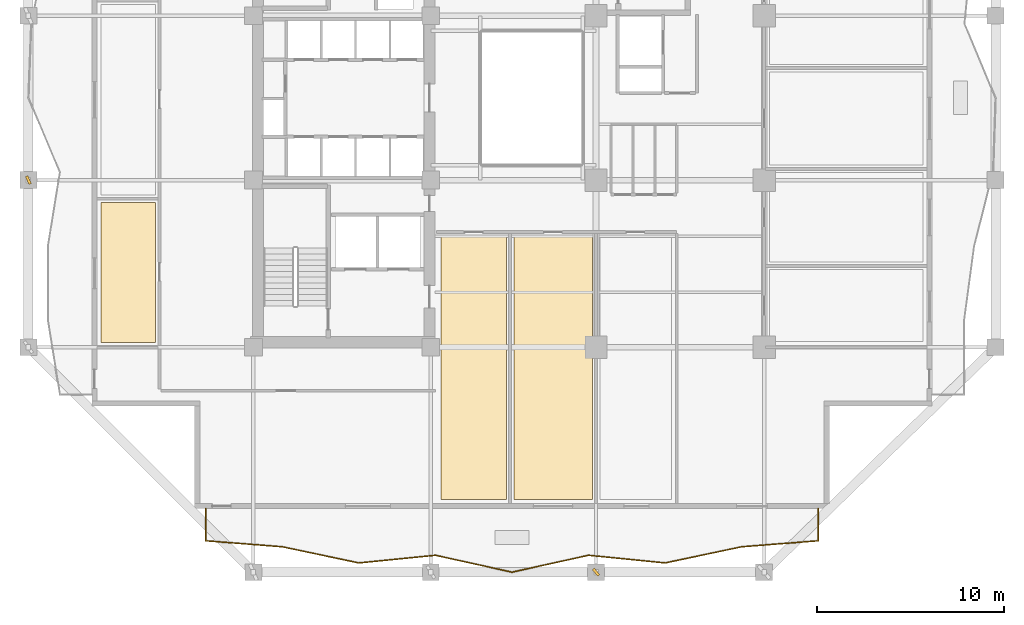
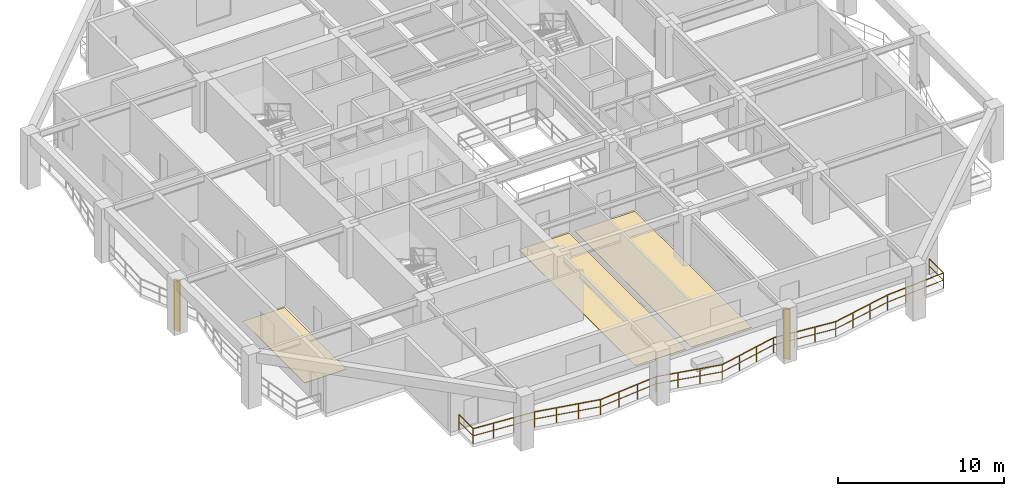
# One storey, part 8 of 13: 3 coverings, 2 shading devices, 1 railing.
"""IFC4 building model written with IfcOpenShell, lengths in metres."""

from ifc_helpers import new_model, si_unit, direction, frame, origin, origin_2d, place, context, subcontext, project, spatial, polyline, rectangle, outline, extrude, material, layer, layer_set, type_object, element, save


model = new_model("IFC4")

# Units and contexts
model_context = context("Model", 3, precision=1e-05, world=origin(), true_north=direction((0.0, 1.0)))
body_context = subcontext(model_context, "Body", "Model", "MODEL_VIEW")
ifc_project = project(units=[si_unit("LENGTHUNIT", "METRE"), si_unit("AREAUNIT", "SQUARE_METRE"), si_unit("VOLUMEUNIT", "CUBIC_METRE"), si_unit("PLANEANGLEUNIT", "RADIAN"), si_unit("MASSUNIT", "GRAM", prefix="KILO")], contexts=[model_context])

# Site, building, storey
site_placement = place(None, origin())
site = spatial("IfcSite", under=ifc_project, at=site_placement, CompositionType="ELEMENT")
building_placement = place(site_placement, origin())
building = spatial("IfcBuilding", under=site, at=building_placement, Name="Kundavana Baori Tower", CompositionType="ELEMENT")
storey_placement = place(building_placement, frame((0.0, 0.0, 54.0)))
storey = spatial("IfcBuildingStorey", under=building, at=storey_placement, Name="L12", CompositionType="ELEMENT", Elevation=54.0)

# Coverings
ifc_material_1 = material(Name="Honed Kota Stone and Terrazzo Flooring", Category="masonry")
ifc_layer = layer(ifc_material_1, 0.030029296875, Name="COV-INT-FLR")
ifc_layer_set = layer_set([ifc_layer], Name="Honed Kota Stone and Terrazzo Flooring")
covering_type = type_object("IfcCoveringType", Name="COV-INT-FLR", PredefinedType="FLOORING", material=ifc_layer_set)
covering_1_placement = place(storey_placement, origin())
element("IfcCovering", 1, at=covering_1_placement, inside=storey, type_object=covering_type, Name="L12 Room Finished Stone Flooring 1", PredefinedType="FLOORING", context=body_context, shape_type="SweptSolid", body=[
    extrude(outline(polyline([(7.280029296875, 15.5), (10.199951171875, 15.5), (10.199951171875, 23.0), (7.280029296875, 23.0), (7.280029296875, 15.5)])), origin(), (0.0, 0.0, 1.0), 0.030029296875),
])
covering_2_placement = place(storey_placement, origin())
element("IfcCovering", 2, at=covering_2_placement, inside=storey, type_object=covering_type, Name="L12 Room Finished Stone Flooring 4", PredefinedType="FLOORING", context=body_context, shape_type="SweptSolid", body=[
    extrude(outline(polyline([(25.5, 7.080078125), (29.0, 7.080078125), (29.0, 21.199951171875), (25.5, 21.199951171875), (25.5, 7.080078125)])), origin(), (0.0, 0.0, 1.0), 0.030029296875),
])
covering_3_placement = place(storey_placement, origin())
element("IfcCovering", 3, at=covering_3_placement, inside=storey, type_object=covering_type, Name="L12 Room Finished Stone Flooring 5", PredefinedType="FLOORING", context=body_context, shape_type="SweptSolid", body=[
    extrude(outline(polyline([(29.39990234375, 7.080078125), (33.60009765625, 7.080078125), (33.60009765625, 21.199951171875), (29.39990234375, 21.199951171875), (29.39990234375, 7.080078125)])), origin(), (0.0, 0.0, 1.0), 0.030029296875),
])

# Railing
ifc_material_2 = material(Name="Architectural Patinated Bronze Metalwork")
railing_type = type_object("IfcRailingType", Name="RL-BAL-1150", PredefinedType="BALUSTRADE", material=ifc_material_2)
railing_placement = place(storey_placement, frame((45.699951171875, 6.60009765625, 0.0)))
element("IfcRailing", 4, at=railing_placement, inside=storey, type_object=railing_type, Name="L12 Loggia Balcony Balustrade S", PredefinedType="BALUSTRADE", context=body_context, shape_type="SweptSolid", body=[
    extrude(rectangle(XDim=0.048095703125, YDim=0.048095703125, at=origin_2d()), frame((0.0, 0.0, 1.1259765625), z_axis=(0.0, -1.0, 0.0), x_axis=(1.0, 0.0, 0.0)), (0.0, 0.0, 1.0), 1.72021484375),
    extrude(rectangle(XDim=0.03125, YDim=0.03125, at=origin_2d()), frame((0.0, 0.0, 0.597900390625), z_axis=(0.0, -1.0, 0.0), x_axis=(1.0, 0.0, 0.0)), (0.0, 0.0, 1.0), 1.72021484375),
    extrude(rectangle(XDim=0.048095703125, YDim=0.048095703125, at=origin_2d()), frame((0.0, -1.72021484375, 1.1259765625), z_axis=(-0.996952698098, -0.078008446692, 0.0), x_axis=(0.078008446692, -0.996952698098, 0.0)), (0.0, 0.0, 1.0), 4.1123046875),
    extrude(rectangle(XDim=0.03125, YDim=0.03125, at=origin_2d()), frame((0.0, -1.72021484375, 0.597900390625), z_axis=(-0.996952698098, -0.078008446692, 0.0), x_axis=(0.078008446692, -0.996952698098, 0.0)), (0.0, 0.0, 1.0), 4.1123046875),
    extrude(rectangle(XDim=0.048095703125, YDim=0.048095703125, at=origin_2d()), frame((-4.099853515625, -2.041015625, 1.1259765625), z_axis=(-0.978356507752, -0.206926421075, 0.0), x_axis=(0.206926421075, -0.978356507752, 0.0)), (0.0, 0.0, 1.0), 4.19091796875),
    extrude(rectangle(XDim=0.03125, YDim=0.03125, at=origin_2d()), frame((-4.099853515625, -2.041015625, 0.597900390625), z_axis=(-0.978356507752, -0.206926421075, 0.0), x_axis=(0.206926421075, -0.978356507752, 0.0)), (0.0, 0.0, 1.0), 4.19091796875),
    extrude(rectangle(XDim=0.048095703125, YDim=0.048095703125, at=origin_2d()), frame((-8.199951171875, -2.908203125, 1.1259765625), z_axis=(-0.994986614767, 0.100008181834, 0.0), x_axis=(-0.100008181834, -0.994986614767, 0.0)), (0.0, 0.0, 1.0), 4.120849609375),
    extrude(rectangle(XDim=0.03125, YDim=0.03125, at=origin_2d()), frame((-8.199951171875, -2.908203125, 0.597900390625), z_axis=(-0.994986614767, 0.100008181834, 0.0), x_axis=(-0.100008181834, -0.994986614767, 0.0)), (0.0, 0.0, 1.0), 4.120849609375),
    extrude(rectangle(XDim=0.048095703125, YDim=0.048095703125, at=origin_2d()), frame((-12.300048828125, -2.49609375, 1.1259765625), z_axis=(-0.976540140403, -0.215335445716, 0.0), x_axis=(0.215335445716, -0.976540140403, 0.0)), (0.0, 0.0, 1.0), 4.1982421875),
    extrude(rectangle(XDim=0.03125, YDim=0.03125, at=origin_2d()), frame((-12.300048828125, -2.49609375, 0.597900390625), z_axis=(-0.976540140403, -0.215335445716, 0.0), x_axis=(0.215335445716, -0.976540140403, 0.0)), (0.0, 0.0, 1.0), 4.1982421875),
    extrude(rectangle(XDim=0.048095703125, YDim=0.048095703125, at=origin_2d()), frame((-16.39990234375, -3.400146484375, 1.1259765625), z_axis=(-0.976542836626, 0.215323218056, 0.0), x_axis=(-0.215323218056, -0.976542836626, 0.0)), (0.0, 0.0, 1.0), 4.198486328125),
    extrude(rectangle(XDim=0.03125, YDim=0.03125, at=origin_2d()), frame((-16.39990234375, -3.400146484375, 0.597900390625), z_axis=(-0.976542836626, 0.215323218056, 0.0), x_axis=(-0.215323218056, -0.976542836626, 0.0)), (0.0, 0.0, 1.0), 4.198486328125),
    extrude(rectangle(XDim=0.048095703125, YDim=0.048095703125, at=origin_2d()), frame((-20.5, -2.49609375, 1.1259765625), z_axis=(-0.994986022152, -0.100014077615, 0.0), x_axis=(0.100014077615, -0.994986022152, 0.0)), (0.0, 0.0, 1.0), 4.12060546875),
    extrude(rectangle(XDim=0.03125, YDim=0.03125, at=origin_2d()), frame((-20.5, -2.49609375, 0.597900390625), z_axis=(-0.994986022152, -0.100014077615, 0.0), x_axis=(0.100014077615, -0.994986022152, 0.0)), (0.0, 0.0, 1.0), 4.12060546875),
    extrude(rectangle(XDim=0.048095703125, YDim=0.048095703125, at=origin_2d()), frame((-24.599853515625, -2.908203125, 1.1259765625), z_axis=(-0.978356507752, 0.206926421075, 0.0), x_axis=(-0.206926421075, -0.978356507752, 0.0)), (0.0, 0.0, 1.0), 4.19091796875),
    extrude(rectangle(XDim=0.03125, YDim=0.03125, at=origin_2d()), frame((-24.599853515625, -2.908203125, 0.597900390625), z_axis=(-0.978356507752, 0.206926421075, 0.0), x_axis=(-0.206926421075, -0.978356507752, 0.0)), (0.0, 0.0, 1.0), 4.19091796875),
    extrude(rectangle(XDim=0.048095703125, YDim=0.048095703125, at=origin_2d()), frame((-28.699951171875, -2.041015625, 1.1259765625), z_axis=(-0.996953059334, 0.078003829937, 0.0), x_axis=(-0.078003829937, -0.996953059334, 0.0)), (0.0, 0.0, 1.0), 4.112548828125),
    extrude(rectangle(XDim=0.03125, YDim=0.03125, at=origin_2d()), frame((-28.699951171875, -2.041015625, 0.597900390625), z_axis=(-0.996953059334, 0.078003829937, 0.0), x_axis=(-0.078003829937, -0.996953059334, 0.0)), (0.0, 0.0, 1.0), 4.112548828125),
    extrude(rectangle(XDim=0.048095703125, YDim=0.048095703125, at=origin_2d()), frame((-32.800048828125, -1.72021484375, 1.1259765625), z_axis=(0.0, 1.0, 0.0), x_axis=(-1.0, 0.0, 0.0)), (0.0, 0.0, 1.0), 1.72021484375),
    extrude(rectangle(XDim=0.03125, YDim=0.03125, at=origin_2d()), frame((-32.800048828125, -1.72021484375, 0.597900390625), z_axis=(0.0, 1.0, 0.0), x_axis=(-1.0, 0.0, 0.0)), (0.0, 0.0, 1.0), 1.72021484375),
    extrude(rectangle(XDim=0.0419921875, YDim=0.0419921875, at=origin_2d()), origin(), (0.0, 0.0, 1.0), 1.101806640625),
    extrude(rectangle(XDim=0.0419921875, YDim=0.0419921875, at=origin_2d()), frame((0.0, -1.72021484375, 0.0)), (0.0, 0.0, 1.0), 1.101806640625),
    extrude(rectangle(XDim=0.0419921875, YDim=0.0419921875, at=origin_2d()), frame((-1.36669921875, -1.8271484375, 0.0)), (0.0, 0.0, 1.0), 1.101806640625),
    extrude(rectangle(XDim=0.0419921875, YDim=0.0419921875, at=origin_2d()), frame((-2.733154296875, -1.93408203125, 0.0)), (0.0, 0.0, 1.0), 1.101806640625),
    extrude(rectangle(XDim=0.0419921875, YDim=0.0419921875, at=origin_2d()), frame((-4.099853515625, -2.041015625, 0.0)), (0.0, 0.0, 1.0), 1.101806640625),
    extrude(rectangle(XDim=0.0419921875, YDim=0.0419921875, at=origin_2d()), frame((-5.466552734375, -2.330078125, 0.0)), (0.0, 0.0, 1.0), 1.101806640625),
    extrude(rectangle(XDim=0.0419921875, YDim=0.0419921875, at=origin_2d()), frame((-6.833251953125, -2.619140625, 0.0)), (0.0, 0.0, 1.0), 1.101806640625),
    extrude(rectangle(XDim=0.0419921875, YDim=0.0419921875, at=origin_2d()), frame((-8.199951171875, -2.908203125, 0.0)), (0.0, 0.0, 1.0), 1.101806640625),
    extrude(rectangle(XDim=0.0419921875, YDim=0.0419921875, at=origin_2d()), frame((-9.566650390625, -2.770751953125, 0.0)), (0.0, 0.0, 1.0), 1.101806640625),
    extrude(rectangle(XDim=0.0419921875, YDim=0.0419921875, at=origin_2d()), frame((-10.933349609375, -2.633544921875, 0.0)), (0.0, 0.0, 1.0), 1.101806640625),
    extrude(rectangle(XDim=0.0419921875, YDim=0.0419921875, at=origin_2d()), frame((-12.300048828125, -2.49609375, 0.0)), (0.0, 0.0, 1.0), 1.101806640625),
    extrude(rectangle(XDim=0.0419921875, YDim=0.0419921875, at=origin_2d()), frame((-13.666748046875, -2.79736328125, 0.0)), (0.0, 0.0, 1.0), 1.101806640625),
    extrude(rectangle(XDim=0.0419921875, YDim=0.0419921875, at=origin_2d()), frame((-15.033203125, -3.098876953125, 0.0)), (0.0, 0.0, 1.0), 1.101806640625),
    extrude(rectangle(XDim=0.0419921875, YDim=0.0419921875, at=origin_2d()), frame((-16.39990234375, -3.400146484375, 0.0)), (0.0, 0.0, 1.0), 1.101806640625),
    extrude(rectangle(XDim=0.0419921875, YDim=0.0419921875, at=origin_2d()), frame((-17.7666015625, -3.098876953125, 0.0)), (0.0, 0.0, 1.0), 1.101806640625),
    extrude(rectangle(XDim=0.0419921875, YDim=0.0419921875, at=origin_2d()), frame((-19.13330078125, -2.79736328125, 0.0)), (0.0, 0.0, 1.0), 1.101806640625),
    extrude(rectangle(XDim=0.0419921875, YDim=0.0419921875, at=origin_2d()), frame((-20.5, -2.49609375, 0.0)), (0.0, 0.0, 1.0), 1.101806640625),
    extrude(rectangle(XDim=0.0419921875, YDim=0.0419921875, at=origin_2d()), frame((-21.86669921875, -2.633544921875, 0.0)), (0.0, 0.0, 1.0), 1.101806640625),
    extrude(rectangle(XDim=0.0419921875, YDim=0.0419921875, at=origin_2d()), frame((-23.233154296875, -2.770751953125, 0.0)), (0.0, 0.0, 1.0), 1.101806640625),
    extrude(rectangle(XDim=0.0419921875, YDim=0.0419921875, at=origin_2d()), frame((-24.599853515625, -2.908203125, 0.0)), (0.0, 0.0, 1.0), 1.101806640625),
    extrude(rectangle(XDim=0.0419921875, YDim=0.0419921875, at=origin_2d()), frame((-25.966552734375, -2.619140625, 0.0)), (0.0, 0.0, 1.0), 1.101806640625),
    extrude(rectangle(XDim=0.0419921875, YDim=0.0419921875, at=origin_2d()), frame((-27.333251953125, -2.330078125, 0.0)), (0.0, 0.0, 1.0), 1.101806640625),
    extrude(rectangle(XDim=0.0419921875, YDim=0.0419921875, at=origin_2d()), frame((-28.699951171875, -2.041015625, 0.0)), (0.0, 0.0, 1.0), 1.101806640625),
    extrude(rectangle(XDim=0.0419921875, YDim=0.0419921875, at=origin_2d()), frame((-30.066650390625, -1.93408203125, 0.0)), (0.0, 0.0, 1.0), 1.101806640625),
    extrude(rectangle(XDim=0.0419921875, YDim=0.0419921875, at=origin_2d()), frame((-31.433349609375, -1.8271484375, 0.0)), (0.0, 0.0, 1.0), 1.101806640625),
    extrude(rectangle(XDim=0.0419921875, YDim=0.0419921875, at=origin_2d()), frame((-32.800048828125, -1.72021484375, 0.0)), (0.0, 0.0, 1.0), 1.101806640625),
    extrude(rectangle(XDim=0.0419921875, YDim=0.0419921875, at=origin_2d()), frame((-32.800048828125, 0.0, 0.0)), (0.0, 0.0, 1.0), 1.101806640625),
])

# Shading devices
ifc_material_3 = material(Name="Architectural Patinated Bronze Metalwork")
shading_device_type = type_object("IfcShadingDeviceType", Name="SHD-LOUV-450", PredefinedType="SHUTTER", material=ifc_material_3)
for number, where, z_axis, x_axis, name in (
    (5, (33.800048828125, 3.199951171875, 0.0), (0.0, 0.0, 1.0), (0.766717148576, 0.641985057521, 0.0), "L12 Sweeping Dholpur Sandstone Facade Fin 3"),
    (6, (3.39990234375, 24.199951171875, 0.0), (0.0, 0.0, 1.0), (0.906307787037, 0.422618261741, 0.0), "L12 Sweeping Dholpur Sandstone Facade Fin 6"),
):
    element("IfcShadingDevice", number, at=place(storey_placement, frame(where, z_axis=z_axis, x_axis=x_axis)), inside=storey, type_object=shading_device_type, Name=name, PredefinedType="SHUTTER", context=body_context, shape_type="SweptSolid", body=[
        extrude(rectangle(XDim=0.139892578125, YDim=0.449951171875, at=origin_2d()), origin(), (0.0, 0.0, 1.0), 3.719970703125),
    ])

save(model, "model.ifc")
